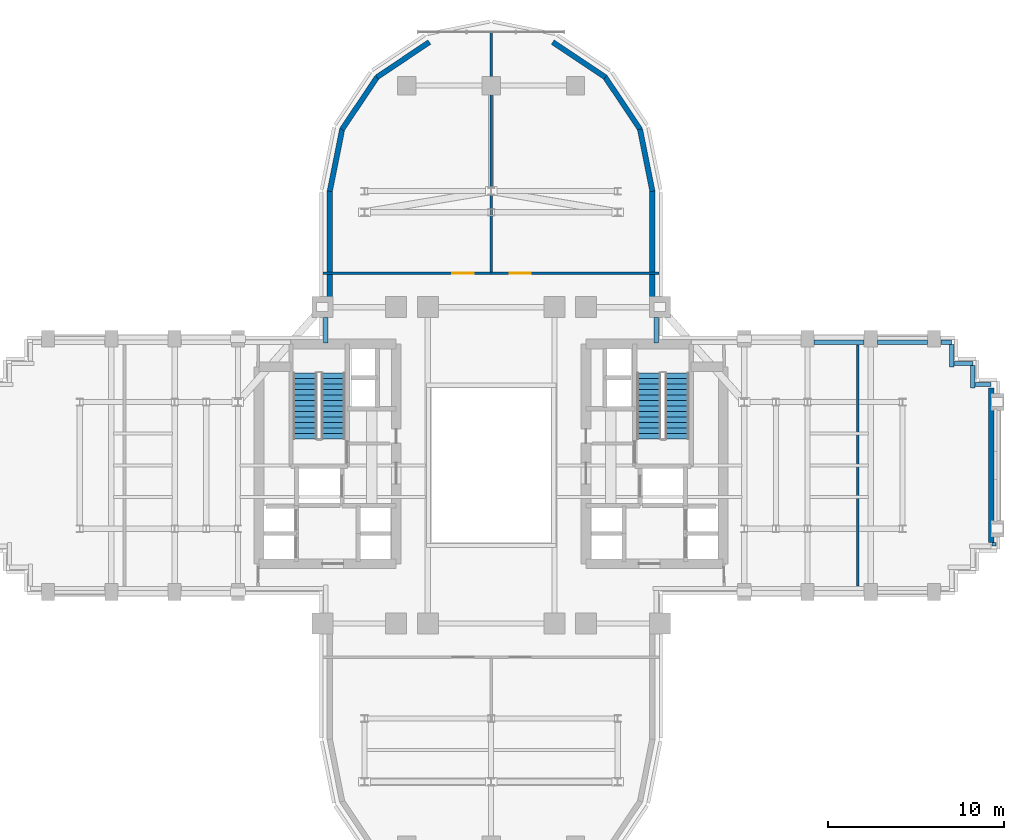
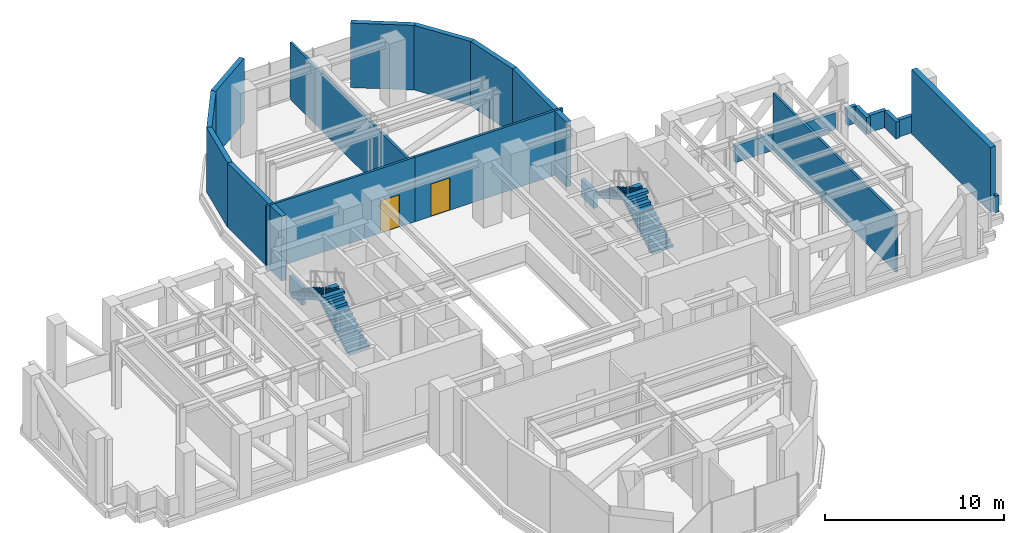
# One storey, part 11 of 15: 23 walls, 4 stair flights, 2 doors, 2 openings, 2 elements without a shape of their own.
"""IFC4 building model written with IfcOpenShell, lengths in metres."""

import ifcopenshell
import ifcopenshell.guid

model = None  # the IFC model being written
_history = None  # IfcOwnerHistory: only IFC2X3 demands one
_inside = {}  # id of a spatial element -> (the spatial element, [elements in it])
_under = {}  # id of a project, library or spatial element -> (it, [spatial elements below it])
_declared = {}  # id of a project -> (the project, [libraries it declares])
_typed = {}  # id of a type object -> (the type object, [elements of that type])
_made_of = {}  # id of a material, layer set ... -> (it, [elements and type objects made of it])


def new_model(schema):
    """Start an empty IFC model of exactly this schema.

    Asked for "IFC4X3", IfcOpenShell would pick the latest addendum, in which some entities
    have other attributes; the version numbers below select the first issue.
    IFC2X3 requires an IfcOwnerHistory on every rooted entity: one is made here for all.
    """
    global model, _history
    if schema == "IFC4X3":
        model = ifcopenshell.file(schema_version=(4, 3, 0, 0))
    else:
        model = ifcopenshell.file(schema=schema)
    _inside.clear()
    _under.clear()
    _declared.clear()
    _typed.clear()
    _made_of.clear()
    _history = None
    if model.schema == "IFC2X3":
        org = make("IfcOrganization", Name="unknown")
        user = make(
            "IfcPersonAndOrganization",
            ThePerson=make("IfcPerson", FamilyName="unknown"),
            TheOrganization=org,
        )
        app = make(
            "IfcApplication",
            ApplicationDeveloper=org,
            Version="unknown",
            ApplicationFullName="unknown",
            ApplicationIdentifier="unknown",
        )
        _history = make(
            "IfcOwnerHistory",
            OwningUser=user,
            OwningApplication=app,
            ChangeAction="ADDED",
            CreationDate=0,
        )
    return model


def make(cls, **values):
    """One entity of the class cls with the attributes given. An attribute that is None is left unset."""
    return model.create_entity(
        cls, **{name: value for name, value in values.items() if value is not None}
    )


def rooted(cls, **values):
    """An entity with a GlobalId (a new one), such as an element, a storey or a relation."""
    return make(cls, GlobalId=ifcopenshell.guid.new(), OwnerHistory=_history, **values)


def si_unit(unit_type, name, prefix=None):
    """IfcSIUnit, for example si_unit("LENGTHUNIT", "METRE", prefix="MILLI")."""
    return make("IfcSIUnit", UnitType=unit_type, Prefix=prefix, Name=name)


def assignment(units):
    """IfcUnitAssignment: the units of a project."""
    return None if units is None else make("IfcUnitAssignment", Units=units)


def point(xyz):
    """IfcCartesianPoint."""
    return None if xyz is None else make("IfcCartesianPoint", Coordinates=xyz)


def direction(xyz):
    """IfcDirection."""
    return None if xyz is None else make("IfcDirection", DirectionRatios=xyz)


def frame(location, z_axis=None, x_axis=None):
    """IfcAxis2Placement3D, a coordinate frame: its origin and axes. An axis left out is left unset."""
    return make(
        "IfcAxis2Placement3D",
        Location=point(location),
        Axis=direction(z_axis),
        RefDirection=direction(x_axis),
    )


def frame_2d(location, x_axis=None):
    """IfcAxis2Placement2D, a coordinate frame in the plane: its origin and x axis."""
    return make(
        "IfcAxis2Placement2D", Location=point(location), RefDirection=direction(x_axis)
    )


def origin():
    """The frame at (0, 0, 0) with its axes left unset."""
    return frame((0.0, 0.0, 0.0))


def place(relative_to, where):
    """IfcLocalPlacement: puts the frame where relative to a parent placement (None: the world)."""
    return make(
        "IfcLocalPlacement", PlacementRelTo=relative_to, RelativePlacement=where
    )


def context(
    kind, dimensions, precision=None, world=None, true_north=None, identifier=None
):
    """IfcGeometricRepresentationContext, for example the 3D "Model" context."""
    return make(
        "IfcGeometricRepresentationContext",
        ContextIdentifier=identifier,
        ContextType=kind,
        CoordinateSpaceDimension=dimensions,
        Precision=precision,
        WorldCoordinateSystem=world,
        TrueNorth=true_north,
    )


def subcontext(parent, identifier, kind, view, scale=None):
    """IfcGeometricRepresentationSubContext, for example "Body" below "Model"."""
    return make(
        "IfcGeometricRepresentationSubContext",
        ContextIdentifier=identifier,
        ContextType=kind,
        ParentContext=parent,
        TargetScale=scale,
        TargetView=view,
    )


def project(units=None, contexts=None):
    """IfcProject with its units and contexts."""
    return rooted(
        "IfcProject",
        Name="project",
        RepresentationContexts=contexts,
        UnitsInContext=assignment(units),
    )


def spatial(cls, under=None, at=None, **own):
    """A site, building, storey or space (cls), placed at a placement, below another one or the project."""
    s = rooted(cls, ObjectPlacement=at, **own)
    if under is not None:
        _under.setdefault(under.id(), (under, []))[1].append(s)
    return s


def polyline(points):
    """IfcPolyline through the points."""
    return make("IfcPolyline", Points=[point(p) for p in points])


def profile(cls, at=None, kind="AREA", **sizes):
    """A parametric profile (cls). Its sizes go by their IFC names, for example OverallWidth=200.0."""
    return make(cls, ProfileType=kind, Position=at, **sizes)


def rectangle(**sizes):
    """IfcRectangleProfileDef."""
    return profile("IfcRectangleProfileDef", **sizes)


def outline(outer, holes=None, kind="AREA"):
    """IfcArbitraryClosedProfileDef: a profile drawn as a closed curve; with holes, ...WithVoids."""
    if holes is None:
        return make("IfcArbitraryClosedProfileDef", ProfileType=kind, OuterCurve=outer)
    return make(
        "IfcArbitraryProfileDefWithVoids",
        ProfileType=kind,
        OuterCurve=outer,
        InnerCurves=holes,
    )


def extrude(swept, where, along, depth):
    """IfcExtrudedAreaSolid: the profile swept, set in the frame where, extruded along a direction by depth."""
    return make(
        "IfcExtrudedAreaSolid",
        SweptArea=swept,
        Position=where,
        ExtrudedDirection=direction(along),
        Depth=depth,
    )


def shape(context_of_items, identifier, shape_type, items):
    """IfcShapeRepresentation: the items that make up one representation, for example the "Body"."""
    return make(
        "IfcShapeRepresentation",
        ContextOfItems=context_of_items,
        RepresentationIdentifier=identifier,
        RepresentationType=shape_type,
        Items=items,
    )


def source(mapping_origin, context_of_items, identifier, shape_type, items):
    """IfcRepresentationMap: a shape defined once, which mapped items show again and again."""
    return make(
        "IfcRepresentationMap",
        MappingOrigin=mapping_origin,
        MappedRepresentation=shape(context_of_items, identifier, shape_type, items),
    )


def transform(
    local_origin,
    x_axis=None,
    y_axis=None,
    z_axis=None,
    scale=None,
    scale2=None,
    scale3=None,
    uniform=True,
):
    """IfcCartesianTransformationOperator3D, or its non-uniform kind. x_axis, y_axis, z_axis: its Axis1, 2, 3."""
    if uniform:
        return make(
            "IfcCartesianTransformationOperator3D",
            Axis1=direction(x_axis),
            Axis2=direction(y_axis),
            LocalOrigin=point(local_origin),
            Scale=scale,
            Axis3=direction(z_axis),
        )
    return make(
        "IfcCartesianTransformationOperator3DnonUniform",
        Axis1=direction(x_axis),
        Axis2=direction(y_axis),
        LocalOrigin=point(local_origin),
        Scale=scale,
        Axis3=direction(z_axis),
        Scale2=scale2,
        Scale3=scale3,
    )


def mapped(mapping_source, mapping_target):
    """IfcMappedItem: shows the shape of a source again, moved by a transform."""
    return make(
        "IfcMappedItem", MappingSource=mapping_source, MappingTarget=mapping_target
    )


def material(Name=None, Category=None):
    """IfcMaterial."""
    return make("IfcMaterial", Name=Name, Category=Category)


def layer(
    of_material, thickness, ventilated=None, Name=None, Category=None, Priority=None
):
    """IfcMaterialLayer: one layer of a wall or slab, of a material (None: an air gap)."""
    return make(
        "IfcMaterialLayer",
        Material=of_material,
        LayerThickness=thickness,
        IsVentilated=ventilated,
        Name=Name,
        Category=Category,
        Priority=Priority,
    )


def layer_set(layers, Name=None):
    """IfcMaterialLayerSet."""
    return make("IfcMaterialLayerSet", MaterialLayers=layers, LayerSetName=Name)


def made_of(thing, what):
    """Note that an element or type object is made of a material, layer set ...; save() writes the relation."""
    if what is not None:
        _made_of.setdefault(what.id(), (what, []))[1].append(thing)
    return thing


def type_object(cls, material=None, **own):
    """A type object (cls), such as IfcWallType, which elements share."""
    return made_of(rooted(cls, **own), material)


def element(
    cls,
    number,
    at=None,
    inside=None,
    cuts=None,
    type_object=None,
    material=None,
    context=None,
    identifier="Body",
    shape_type=None,
    held_by="IfcProductDefinitionShape",
    body=None,
    shapes=None,
    **own,
):
    """One element of the class cls, such as IfcWall. Its Tag is "e" and its number.

    at: its placement. inside: the storey or other place that contains it. cuts: it is an
    opening in that element (IfcRelVoidsElement). A single representation is given by context,
    identifier, shape_type and body (its items); several are given by shapes. held_by: the class
    of the entity that holds the representations. save() writes the other relations.
    """
    e = rooted(cls, Tag="e%d" % number, ObjectPlacement=at, **own)
    if body is not None:
        shapes = [shape(context, identifier, shape_type, body)]
    if shapes is not None:
        e.Representation = make(held_by, Representations=shapes)
    if inside is not None:
        _inside.setdefault(inside.id(), (inside, []))[1].append(e)
    if cuts is not None:
        rooted(
            "IfcRelVoidsElement", RelatingBuildingElement=cuts, RelatedOpeningElement=e
        )
    if type_object is not None:
        _typed.setdefault(type_object.id(), (type_object, []))[1].append(e)
    return made_of(e, material)


def fill(opening, filler):
    """IfcRelFillsElement: the door or window that sits in an opening."""
    return rooted(
        "IfcRelFillsElement",
        RelatingOpeningElement=opening,
        RelatedBuildingElement=filler,
    )


def aggregate(whole, parts):
    """IfcRelAggregates: a whole, such as a stair, and the parts it consists of."""
    return rooted("IfcRelAggregates", RelatingObject=whole, RelatedObjects=parts)


def save(model, path):
    """Write the relations noted so far, then the file.

    IfcRelAggregates (storeys below a building ...), IfcRelContainedInSpatialStructure (elements
    in a storey), IfcRelDefinesByType, IfcRelAssociatesMaterial and IfcRelDeclares: one each for
    every whole, place, type object, material and project.
    """
    for whole, parts in _under.values():
        aggregate(whole, parts)
    for where, things in _inside.values():
        rooted(
            "IfcRelContainedInSpatialStructure",
            RelatedElements=things,
            RelatingStructure=where,
        )
    for kind, things in _typed.values():
        rooted("IfcRelDefinesByType", RelatedObjects=things, RelatingType=kind)
    for what, things in _made_of.values():
        rooted("IfcRelAssociatesMaterial", RelatedObjects=things, RelatingMaterial=what)
    for by, libraries in _declared.values():
        rooted("IfcRelDeclares", RelatingContext=by, RelatedDefinitions=libraries)
    model.write(path)


model = new_model("IFC4")

# Units and contexts
model_context = context("Model", 3, precision=1e-05, world=origin(), true_north=direction((0.0, 1.0)))
body_context = subcontext(model_context, "Body", "Model", "MODEL_VIEW")
ifc_project = project(units=[si_unit("LENGTHUNIT", "METRE"), si_unit("AREAUNIT", "SQUARE_METRE"), si_unit("VOLUMEUNIT", "CUBIC_METRE"), si_unit("PLANEANGLEUNIT", "RADIAN"), si_unit("MASSUNIT", "GRAM", prefix="KILO")], contexts=[model_context])

# Site, building, storey
site_placement = place(None, origin())
site = spatial("IfcSite", under=ifc_project, at=site_placement, CompositionType="ELEMENT")
building_placement = place(site_placement, origin())
building = spatial("IfcBuilding", under=site, at=building_placement, Name="Keilestroom Media Tower", CompositionType="ELEMENT")
storey_placement = place(building_placement, frame((0.0, 0.0, 88.39990234375)))
storey = spatial("IfcBuildingStorey", under=building, at=storey_placement, Name="L23", CompositionType="ELEMENT", Elevation=88.39990234375)

# Walls
ifc_material_1 = material(Name="Precast concrete C40/50", Category="concrete")
ifc_layer_1 = layer(ifc_material_1, 0.300048828125)
ifc_layer_set_1 = layer_set([ifc_layer_1], Name="Precast concrete C40/50")
wall_type_1 = type_object("IfcWallType", Name="Exterior-Masonry-Spandrel-Wall-300", PredefinedType="SOLIDWALL", material=ifc_layer_set_1)
wall_1_placement = place(storey_placement, frame((9.171875, 9.568115234375, 0.0), z_axis=(0.0, 0.0, 1.0), x_axis=(0.0, 1.0, 0.0)))
element("IfcWall", 1, at=wall_1_placement, inside=storey, type_object=wall_type_1, Name="L23 Plant Lobe Masonry Wall 01", PredefinedType="SOLIDWALL", context=body_context, shape_type="SweptSolid", body=[
    extrude(rectangle(XDim=6.061767578125, YDim=0.300048828125, at=frame_2d((3.03076171875, 0.0))), origin(), (0.0, 0.0, 1.0), 4.400146484375),
])
for number, where, z_axis, x_axis, name in (
    (2, (9.1748046875, 15.585205078125, 0.0), (0.0, 0.0, 1.0), (-0.195114232679, 0.980780523974, 0.0), "L23 Plant Lobe Masonry Wall 02"),
    (3, (8.48193359375, 19.097412109375, 0.0), (0.0, 0.0, 1.0), (-0.555574187116, 0.831466970246, 0.0), "L23 Plant Lobe Masonry Wall 03"),
):
    element("IfcWall", number, at=place(storey_placement, frame(where, z_axis=z_axis, x_axis=x_axis)), inside=storey, type_object=wall_type_1, Name=name, PredefinedType="SOLIDWALL", context=body_context, shape_type="SweptSolid", body=[
        extrude(rectangle(XDim=3.608642578125, YDim=0.300048828125, at=frame_2d((1.80419921875, 0.0))), origin(), (0.0, 0.0, 1.0), 4.400146484375),
    ])
for number, where, z_axis, x_axis, name in (
    (4, (6.497802734375, 22.0771484375, 0.0), (0.0, 0.0, 1.0), (-0.8314749531, 0.555562239868, 0.0), "L23 Plant Lobe Masonry Wall 04"),
    (5, (-3.510009765625, 24.073486328125, 0.0), (0.0, 0.0, 1.0), (-0.8314749531, -0.555562239868, 0.0), "L23 Plant Lobe Masonry Wall 05"),
):
    element("IfcWall", number, at=place(storey_placement, frame(where, z_axis=z_axis, x_axis=x_axis)), inside=storey, type_object=wall_type_1, Name=name, PredefinedType="SOLIDWALL", context=body_context, shape_type="SweptSolid", body=[
        extrude(rectangle(XDim=3.59326171875, YDim=0.300048828125, at=frame_2d((1.796630859375, 0.0))), origin(), (0.0, 0.0, 1.0), 4.400146484375),
    ])
for number, where, z_axis, x_axis, name in (
    (6, (-6.47705078125, 22.097900390625, 0.0), (0.0, 0.0, 1.0), (-0.555574187116, -0.831466970246, 0.0), "L23 Plant Lobe Masonry Wall 06"),
    (7, (-8.470703125, 19.12451171875, 0.0), (0.0, 0.0, 1.0), (-0.195114232679, -0.980780523974, 0.0), "L23 Plant Lobe Masonry Wall 07"),
):
    element("IfcWall", number, at=place(storey_placement, frame(where, z_axis=z_axis, x_axis=x_axis)), inside=storey, type_object=wall_type_1, Name=name, PredefinedType="SOLIDWALL", context=body_context, shape_type="SweptSolid", body=[
        extrude(rectangle(XDim=3.608642578125, YDim=0.300048828125, at=frame_2d((1.80419921875, 0.0))), origin(), (0.0, 0.0, 1.0), 4.400146484375),
    ])
wall_2_placement = place(storey_placement, frame((-9.171875, 15.6298828125, 0.0), z_axis=(0.0, 0.0, 1.0), x_axis=(0.0, -1.0, 0.0)))
element("IfcWall", 8, at=wall_2_placement, inside=storey, type_object=wall_type_1, Name="L23 Plant Lobe Masonry Wall 08", PredefinedType="SOLIDWALL", context=body_context, shape_type="SweptSolid", body=[
    extrude(rectangle(XDim=6.061767578125, YDim=0.300048828125, at=frame_2d((3.03076171875, 0.0))), origin(), (0.0, 0.0, 1.0), 4.400146484375),
])
ifc_layer_2 = layer(ifc_material_1, 0.340087890625)
ifc_layer_set_2 = layer_set([ifc_layer_2], Name="Precast concrete C40/50")
wall_type_2 = type_object("IfcWallType", Name="Exterior-Masonry-Spandrel-Wall-340", PredefinedType="SOLIDWALL", material=ifc_layer_set_2)
wall_3_placement = place(storey_placement, frame((28.449951171875, -4.39990234375, 0.0), z_axis=(0.0, 0.0, 1.0), x_axis=(0.0, 1.0, 0.0)))
element("IfcWall", 9, at=wall_3_placement, inside=storey, type_object=wall_type_2, Name="L23 Plant Masonry Screen Wall E", PredefinedType="SOLIDWALL", context=body_context, shape_type="SweptSolid", body=[
    extrude(rectangle(XDim=8.7998046875, YDim=0.340087890625, at=frame_2d((4.39990234375, 0.0))), origin(), (0.0, 0.0, 1.0), 4.400146484375),
])
ifc_material_2 = material(Name="Gypsum Plasterboard & Steel Stud", Category="steel")
ifc_layer_3 = layer(ifc_material_2, 0.14990234375)
ifc_layer_set_3 = layer_set([ifc_layer_3], Name="Gypsum Plasterboard & Steel Stud")
wall_type_3 = type_object("IfcWallType", Name="Interior-Partition-Wall-150", PredefinedType="PARTITIONING", material=ifc_layer_set_3)
wall_4_placement = place(storey_placement, frame((20.85009765625, -6.85009765625, 0.0), z_axis=(0.0, 0.0, 1.0), x_axis=(0.0, 1.0, 0.0)))
element("IfcWall", 10, at=wall_4_placement, inside=storey, type_object=wall_type_3, Name="L23 Interior Wall WP-L23-REF-EE", PredefinedType="PARTITIONING", context=body_context, shape_type="SweptSolid", body=[
    extrude(rectangle(XDim=13.7001953125, YDim=0.14990234375, at=frame_2d((6.85009765625, 0.0))), origin(), (0.0, 0.0, 1.0), 3.91015625),
])

# Wall, opening, door
wall_5_placement = place(storey_placement, frame((-9.550048828125, 10.919921875, 0.0), z_axis=(0.0, 0.0, 1.0), x_axis=(1.0, 0.0, 0.0)))
wall_5 = element("IfcWall", 11, at=wall_5_placement, inside=storey, type_object=wall_type_3, Name="L23 Interior Wall WP-L23-PL-AHUN-S", PredefinedType="PARTITIONING", context=body_context, shape_type="SweptSolid", body=[
    extrude(rectangle(XDim=9.550048828125, YDim=0.14990234375, at=frame_2d((4.77490234375, 0.0))), origin(), (0.0, 0.0, 1.0), 4.400146484375),
])
opening_1_placement = place(wall_5_placement, frame((7.35009765625, 0.0, 0.0)))
opening_1 = element("IfcOpeningElement", 12, at=opening_1_placement, cuts=wall_5, Name="Opening DI-02", PredefinedType="OPENING", context=body_context, shape_type="SweptSolid", body=[
    extrude(rectangle(XDim=1.199951171875, YDim=2.199951171875, at=frame_2d((0.60009765625, 1.10009765625))), frame((0.0, 0.0849609375, 0.0), z_axis=(0.0, -1.0, 0.0), x_axis=(1.0, 0.0, 0.0)), (0.0, 0.0, 1.0), 0.169921875),
])
ifc_material_3 = material(Name="Powder-Coated Steel Fire Leaf", Category="steel")
door_type = type_object("IfcDoorType", Name="Interior-Compartment-Fire-Door-DI-02", OperationType="NOTDEFINED", PredefinedType="DOOR", material=ifc_material_3)
shared_shape = source(origin(), body_context, "Body", "SweptSolid", [
    extrude(rectangle(XDim=1.199951171875, YDim=2.199951171875, at=frame_2d((0.60009765625, 1.10009765625))), frame((0.0, 0.02490234375, 0.0), z_axis=(0.0, -1.0, 0.0), x_axis=(1.0, 0.0, 0.0)), (0.0, 0.0, 1.0), 0.050048828125),
])
door_1_placement = place(opening_1_placement, origin())
door_1 = element("IfcDoor", 13, at=door_1_placement, inside=storey, type_object=door_type, Name="L23 Interior Door DI-L23-PL-AHUN-D", OperationType="SINGLE_SWING_RIGHT", OverallHeight=2.199951171875, OverallWidth=1.199951171875, PredefinedType="DOOR", context=body_context, shape_type="MappedRepresentation", body=[
    mapped(shared_shape, transform((0.0, 0.0, 0.0), x_axis=(1.0, 0.0, 0.0), y_axis=(0.0, 1.0, 0.0), z_axis=(0.0, 0.0, 1.0), scale=1.0)),
])
fill(opening_1, door_1)

# Wall
wall_6_placement = place(storey_placement, frame((0.0, 10.919921875, 0.0), z_axis=(0.0, 0.0, 1.0), x_axis=(0.0, 1.0, 0.0)))
element("IfcWall", 14, at=wall_6_placement, inside=storey, type_object=wall_type_3, Name="L23 Interior Wall WP-L23-PL-AHUN-M", PredefinedType="PARTITIONING", context=body_context, shape_type="SweptSolid", body=[
    extrude(rectangle(XDim=13.72998046875, YDim=0.14990234375, at=frame_2d((6.864990234375, 0.0))), origin(), (0.0, 0.0, 1.0), 3.900146484375),
])

# Wall, opening, door
wall_7_placement = place(storey_placement, frame((0.0, 10.919921875, 0.0), z_axis=(0.0, 0.0, 1.0), x_axis=(1.0, 0.0, 0.0)))
wall_7 = element("IfcWall", 15, at=wall_7_placement, inside=storey, type_object=wall_type_3, Name="L23 Interior Wall WP-L23-PL-ELECN-S", PredefinedType="PARTITIONING", context=body_context, shape_type="SweptSolid", body=[
    extrude(rectangle(XDim=9.550048828125, YDim=0.14990234375, at=frame_2d((4.77490234375, 0.0))), origin(), (0.0, 0.0, 1.0), 4.400146484375),
])
opening_2_placement = place(wall_7_placement, frame((1.050048828125, 0.0, 0.0)))
opening_2 = element("IfcOpeningElement", 16, at=opening_2_placement, cuts=wall_7, Name="Opening DI-02", PredefinedType="OPENING", context=body_context, shape_type="SweptSolid", body=[
    extrude(rectangle(XDim=1.199951171875, YDim=2.199951171875, at=frame_2d((0.60009765625, 1.10009765625))), frame((0.0, 0.0849609375, 0.0), z_axis=(0.0, -1.0, 0.0), x_axis=(1.0, 0.0, 0.0)), (0.0, 0.0, 1.0), 0.169921875),
])
door_2_placement = place(opening_2_placement, origin())
door_2 = element("IfcDoor", 17, at=door_2_placement, inside=storey, type_object=door_type, Name="L23 Interior Door DI-L23-PL-ELECN-D", OperationType="SINGLE_SWING_LEFT", OverallHeight=2.199951171875, OverallWidth=1.199951171875, PredefinedType="DOOR", context=body_context, shape_type="MappedRepresentation", body=[
    mapped(shared_shape, transform((0.0, 0.0, 0.0), x_axis=(1.0, 0.0, 0.0), y_axis=(0.0, 1.0, 0.0), z_axis=(0.0, 0.0, 1.0), scale=1.0)),
])
fill(opening_2, door_2)

# Walls
ifc_layer_4 = layer(ifc_material_1, 0.239990234375)
ifc_layer_set_4 = layer_set([ifc_layer_4], Name="Precast concrete C40/50")
wall_type_4 = type_object("IfcWallType", Name="Roof-And-Terrace-Parapet-Wall-240", PredefinedType="PARAPET", material=ifc_layer_set_4)
for number, where, z_axis, x_axis, name in (
    (18, (-9.39990234375, 6.952880859375, 0.0), (0.0, 0.0, 1.0), (0.0, 1.0, 0.0), "L23 Perimeter Edge Parapet Wall 31"),
    (19, (9.39990234375, 8.39697265625, 0.0), (0.0, 0.0, 1.0), (0.0, -1.0, 0.0), "L23 Perimeter Edge Parapet Wall 32"),
):
    element("IfcWall", number, at=place(storey_placement, frame(where, z_axis=z_axis, x_axis=x_axis)), inside=storey, type_object=wall_type_4, Name=name, PredefinedType="PARAPET", context=body_context, shape_type="SweptSolid", body=[
        extrude(rectangle(XDim=1.444091796875, YDim=0.239990234375, at=frame_2d((0.72216796875, 0.0))), origin(), (0.0, 0.0, 1.0), 1.150146484375),
    ])
for number, where, z_axis, x_axis, name in (
    (20, (18.3779296875, 7.0, 0.0), (0.0, 0.0, 1.0), (1.0, 0.0, 0.0), "L23 Perimeter Edge Parapet Wall 35"),
    (21, (21.97802734375, 7.0, 0.0), (0.0, 0.0, 1.0), (1.0, 0.0, 0.0), "L23 Perimeter Edge Parapet Wall 36"),
):
    element("IfcWall", number, at=place(storey_placement, frame(where, z_axis=z_axis, x_axis=x_axis)), inside=storey, type_object=wall_type_4, Name=name, PredefinedType="PARAPET", context=body_context, shape_type="SweptSolid", body=[
        extrude(rectangle(XDim=2.843994140625, YDim=0.239990234375, at=frame_2d((1.421875, 0.0))), origin(), (0.0, 0.0, 1.0), 1.150146484375),
    ])
wall_8_placement = place(storey_placement, frame((25.577880859375, 7.0, 0.0), z_axis=(0.0, 0.0, 1.0), x_axis=(1.0, 0.0, 0.0)))
element("IfcWall", 22, at=wall_8_placement, inside=storey, type_object=wall_type_4, Name="L23 Perimeter Edge Parapet Wall 37", PredefinedType="PARAPET", context=body_context, shape_type="SweptSolid", body=[
    extrude(rectangle(XDim=0.6220703125, YDim=0.239990234375, at=frame_2d((0.31103515625, 0.0))), origin(), (0.0, 0.0, 1.0), 1.150146484375),
])
wall_9_placement = place(storey_placement, frame((26.199951171875, 6.876953125, 0.0), z_axis=(0.0, 0.0, 1.0), x_axis=(0.0, -1.0, 0.0)))
element("IfcWall", 23, at=wall_9_placement, inside=storey, type_object=wall_type_4, Name="L23 Perimeter Edge Parapet Wall 38", PredefinedType="PARAPET", context=body_context, shape_type="SweptSolid", body=[
    extrude(rectangle(XDim=1.27685546875, YDim=0.239990234375, at=frame_2d((0.638427734375, 0.0))), origin(), (0.0, 0.0, 1.0), 1.150146484375),
])
wall_10_placement = place(storey_placement, frame((26.322998046875, 5.800048828125, 0.0), z_axis=(0.0, 0.0, 1.0), x_axis=(1.0, 0.0, 0.0)))
element("IfcWall", 24, at=wall_10_placement, inside=storey, type_object=wall_type_4, Name="L23 Perimeter Edge Parapet Wall 39", PredefinedType="PARAPET", context=body_context, shape_type="SweptSolid", body=[
    extrude(rectangle(XDim=1.076904296875, YDim=0.239990234375, at=frame_2d((0.53857421875, 0.0))), origin(), (0.0, 0.0, 1.0), 1.150146484375),
])
wall_11_placement = place(storey_placement, frame((27.39990234375, 5.677001953125, 0.0), z_axis=(0.0, 0.0, 1.0), x_axis=(0.0, -1.0, 0.0)))
element("IfcWall", 25, at=wall_11_placement, inside=storey, type_object=wall_type_4, Name="L23 Perimeter Edge Parapet Wall 40", PredefinedType="PARAPET", context=body_context, shape_type="SweptSolid", body=[
    extrude(rectangle(XDim=1.277099609375, YDim=0.239990234375, at=frame_2d((0.638671875, 0.0))), origin(), (0.0, 0.0, 1.0), 1.150146484375),
])
wall_12_placement = place(storey_placement, frame((27.52294921875, 4.60009765625, 0.0), z_axis=(0.0, 0.0, 1.0), x_axis=(1.0, 0.0, 0.0)))
element("IfcWall", 26, at=wall_12_placement, inside=storey, type_object=wall_type_4, Name="L23 Perimeter Edge Parapet Wall 41", PredefinedType="PARAPET", context=body_context, shape_type="SweptSolid", body=[
    extrude(rectangle(XDim=0.906005859375, YDim=0.239990234375, at=frame_2d((0.453125, 0.0))), origin(), (0.0, 0.0, 1.0), 1.150146484375),
])
wall_13_placement = place(storey_placement, frame((28.60009765625, -4.403076171875, 0.0), z_axis=(0.0, 0.0, 1.0), x_axis=(0.0, -1.0, 0.0)))
element("IfcWall", 27, at=wall_13_placement, inside=storey, type_object=wall_type_4, Name="L23 Perimeter Edge Parapet Wall 42", PredefinedType="PARAPET", context=body_context, shape_type="SweptSolid", body=[
    extrude(rectangle(XDim=0.197021484375, YDim=0.239990234375, at=frame_2d((0.0986328125, 0.0))), origin(), (0.0, 0.0, 1.0), 1.150146484375),
])

# Stair, stair flights
ifc_material_4 = material(Name="Concrete C45/55", Category="concrete")
stair_type = type_object("IfcStairType", Name="Enclosed-Dog-Leg-Stair-ST-CORE", PredefinedType="HALF_TURN_STAIR", material=ifc_material_4)
stair_1_placement = place(storey_placement, origin())
stair_1 = element("IfcStair", 28, at=stair_1_placement, inside=storey, type_object=stair_type, Name="L23 West Core Escape Stair ST-1", PredefinedType="HALF_TURN_STAIR")
stair_flight_type = type_object("IfcStairFlightType", Name="Precast-Concrete-Stair-Flight-Core-160", PredefinedType="STRAIGHT", material=ifc_material_1)
stair_flight_1_placement = place(storey_placement, frame((-8.97998046875, 1.5, 0.0), z_axis=(0.0, 0.0, 1.0), x_axis=(0.0, 1.0, 0.0)))
stair_flight_1 = element("IfcStairFlight", 29, at=stair_flight_1_placement, type_object=stair_flight_type, Name="ST-1 flight 1", NumberOfRisers=13, NumberOfTreads=12, PredefinedType="STRAIGHT", RiserHeight=0.176923077, TreadLength=0.312, context=body_context, shape_type="SweptSolid", body=[
    extrude(outline(polyline([(0.0, 0.0), (0.0, 0.177001953125), (0.31201171875, 0.177001953125), (0.31201171875, 0.353759765625), (0.6240234375, 0.353759765625), (0.6240234375, 0.53076171875), (0.93603515625, 0.53076171875), (0.93603515625, 0.707763671875), (1.248046875, 0.707763671875), (1.248046875, 0.884521484375), (1.56005859375, 0.884521484375), (1.56005859375, 1.0615234375), (1.8720703125, 1.0615234375), (1.8720703125, 1.238525390625), (2.18408203125, 1.238525390625), (2.18408203125, 1.415283203125), (2.49609375, 1.415283203125), (2.49609375, 1.59228515625), (2.80810546875, 1.59228515625), (2.80810546875, 1.769287109375), (3.1201171875, 1.769287109375), (3.1201171875, 1.946044921875), (3.431884765625, 1.946044921875), (3.431884765625, 2.123046875), (3.743896484375, 2.123046875), (3.743896484375, 2.300048828125), (3.743896484375, 1.939208984375), (0.32421875, 0.0), (0.0, 0.0)])), frame((0.0, 0.68017578125, 0.0), z_axis=(0.0, -1.0, 0.0), x_axis=(1.0, 0.0, 0.0)), (0.0, 0.0, 1.0), 1.360107421875),
])
stair_flight_2_placement = place(storey_placement, frame((-10.580078125, 5.243896484375, 2.300048828125), z_axis=(0.0, 0.0, 1.0), x_axis=(0.0, -1.0, 0.0)))
stair_flight_2 = element("IfcStairFlight", 30, at=stair_flight_2_placement, type_object=stair_flight_type, Name="ST-1 flight 2", NumberOfRisers=13, NumberOfTreads=12, PredefinedType="STRAIGHT", RiserHeight=0.176923077, TreadLength=0.312, context=body_context, shape_type="SweptSolid", body=[
    extrude(outline(polyline([(0.0, 0.0), (0.0, 0.177001953125), (0.31201171875, 0.177001953125), (0.31201171875, 0.353759765625), (0.6240234375, 0.353759765625), (0.6240234375, 0.53076171875), (0.93603515625, 0.53076171875), (0.93603515625, 0.707763671875), (1.248046875, 0.707763671875), (1.248046875, 0.884521484375), (1.56005859375, 0.884521484375), (1.56005859375, 1.0615234375), (1.8720703125, 1.0615234375), (1.8720703125, 1.238525390625), (2.18408203125, 1.238525390625), (2.18408203125, 1.415283203125), (2.49609375, 1.415283203125), (2.49609375, 1.59228515625), (2.80810546875, 1.59228515625), (2.80810546875, 1.769287109375), (3.1201171875, 1.769287109375), (3.1201171875, 1.946044921875), (3.431884765625, 1.946044921875), (3.431884765625, 2.123046875), (3.743896484375, 2.123046875), (3.743896484375, 2.300048828125), (3.743896484375, 1.939208984375), (0.32421875, 0.0), (0.0, 0.0)])), frame((0.0, 0.68017578125, 0.0), z_axis=(0.0, -1.0, 0.0), x_axis=(1.0, 0.0, 0.0)), (0.0, 0.0, 1.0), 1.360107421875),
])
aggregate(stair_1, [stair_flight_1, stair_flight_2])

stair_2_placement = place(storey_placement, origin())
stair_2 = element("IfcStair", 31, at=stair_2_placement, inside=storey, type_object=stair_type, Name="L23 East Core Escape Stair ST-2", PredefinedType="HALF_TURN_STAIR")
stair_flight_3_placement = place(storey_placement, frame((10.580078125, 1.5, 0.0), z_axis=(0.0, 0.0, 1.0), x_axis=(0.0, 1.0, 0.0)))
stair_flight_3 = element("IfcStairFlight", 32, at=stair_flight_3_placement, type_object=stair_flight_type, Name="ST-2 flight 1", NumberOfRisers=13, NumberOfTreads=12, PredefinedType="STRAIGHT", RiserHeight=0.176923077, TreadLength=0.312, context=body_context, shape_type="SweptSolid", body=[
    extrude(outline(polyline([(0.0, 0.0), (0.0, 0.177001953125), (0.31201171875, 0.177001953125), (0.31201171875, 0.353759765625), (0.6240234375, 0.353759765625), (0.6240234375, 0.53076171875), (0.93603515625, 0.53076171875), (0.93603515625, 0.707763671875), (1.248046875, 0.707763671875), (1.248046875, 0.884521484375), (1.56005859375, 0.884521484375), (1.56005859375, 1.0615234375), (1.8720703125, 1.0615234375), (1.8720703125, 1.238525390625), (2.18408203125, 1.238525390625), (2.18408203125, 1.415283203125), (2.49609375, 1.415283203125), (2.49609375, 1.59228515625), (2.80810546875, 1.59228515625), (2.80810546875, 1.769287109375), (3.1201171875, 1.769287109375), (3.1201171875, 1.946044921875), (3.431884765625, 1.946044921875), (3.431884765625, 2.123046875), (3.743896484375, 2.123046875), (3.743896484375, 2.300048828125), (3.743896484375, 1.939208984375), (0.32421875, 0.0), (0.0, 0.0)])), frame((0.0, 0.68017578125, 0.0), z_axis=(0.0, -1.0, 0.0), x_axis=(1.0, 0.0, 0.0)), (0.0, 0.0, 1.0), 1.360107421875),
])
stair_flight_4_placement = place(storey_placement, frame((8.97998046875, 5.243896484375, 2.300048828125), z_axis=(0.0, 0.0, 1.0), x_axis=(0.0, -1.0, 0.0)))
stair_flight_4 = element("IfcStairFlight", 33, at=stair_flight_4_placement, type_object=stair_flight_type, Name="ST-2 flight 2", NumberOfRisers=13, NumberOfTreads=12, PredefinedType="STRAIGHT", RiserHeight=0.176923077, TreadLength=0.312, context=body_context, shape_type="SweptSolid", body=[
    extrude(outline(polyline([(0.0, 0.0), (0.0, 0.177001953125), (0.31201171875, 0.177001953125), (0.31201171875, 0.353759765625), (0.6240234375, 0.353759765625), (0.6240234375, 0.53076171875), (0.93603515625, 0.53076171875), (0.93603515625, 0.707763671875), (1.248046875, 0.707763671875), (1.248046875, 0.884521484375), (1.56005859375, 0.884521484375), (1.56005859375, 1.0615234375), (1.8720703125, 1.0615234375), (1.8720703125, 1.238525390625), (2.18408203125, 1.238525390625), (2.18408203125, 1.415283203125), (2.49609375, 1.415283203125), (2.49609375, 1.59228515625), (2.80810546875, 1.59228515625), (2.80810546875, 1.769287109375), (3.1201171875, 1.769287109375), (3.1201171875, 1.946044921875), (3.431884765625, 1.946044921875), (3.431884765625, 2.123046875), (3.743896484375, 2.123046875), (3.743896484375, 2.300048828125), (3.743896484375, 1.939208984375), (0.32421875, 0.0), (0.0, 0.0)])), frame((0.0, 0.68017578125, 0.0), z_axis=(0.0, -1.0, 0.0), x_axis=(1.0, 0.0, 0.0)), (0.0, 0.0, 1.0), 1.360107421875),
])
aggregate(stair_2, [stair_flight_3, stair_flight_4])

save(model, "model.ifc")
